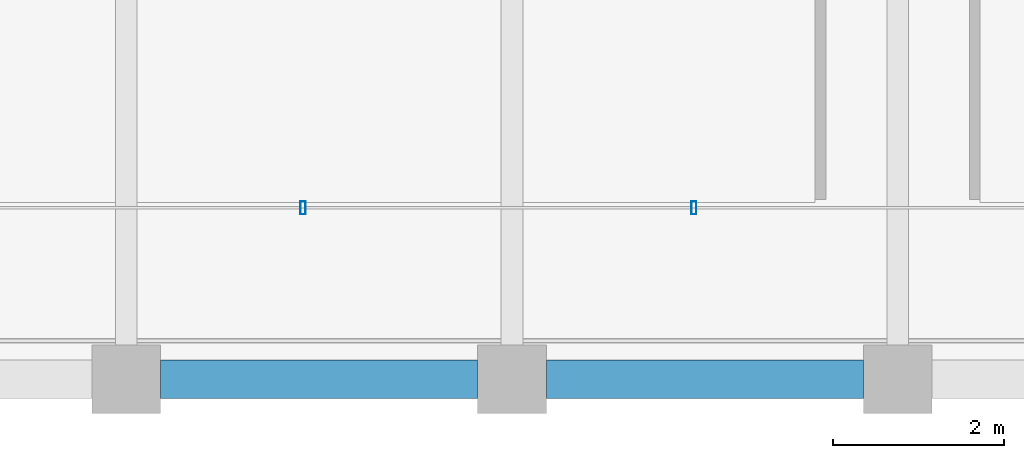
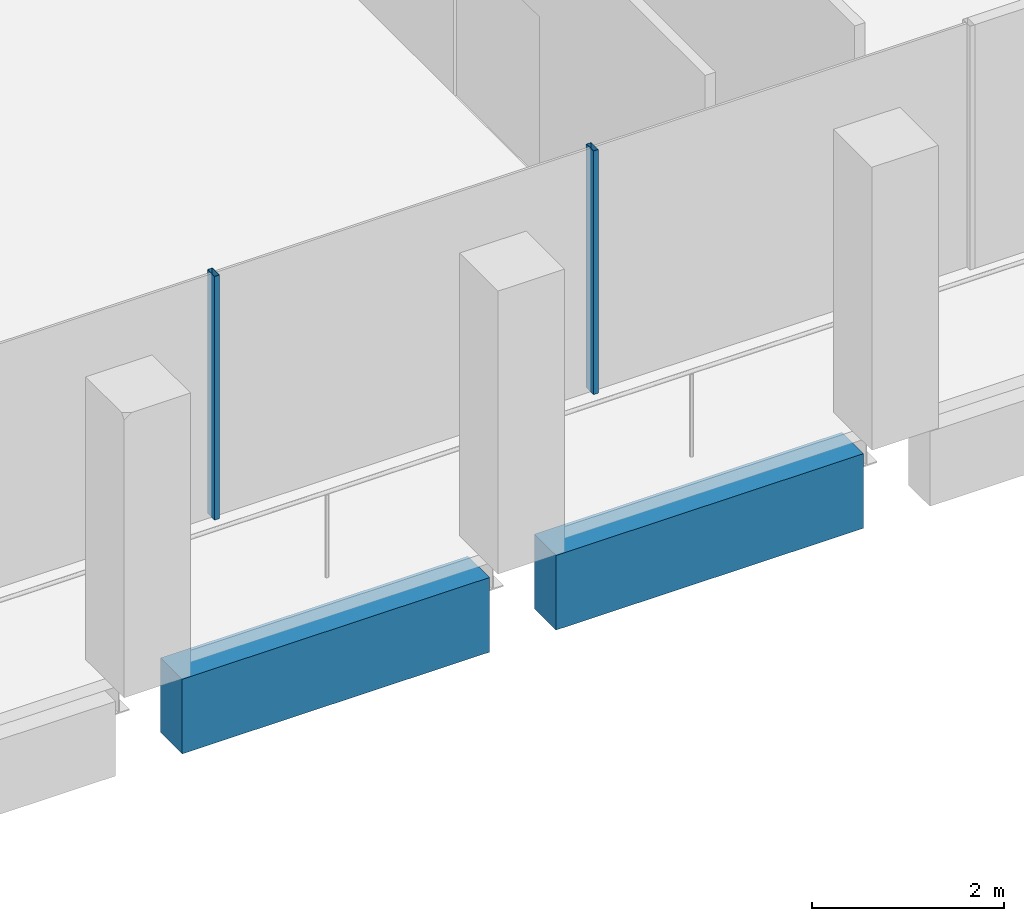
# One storey, part 3 of 30: 2 beams, 2 members, 1 element without a shape of its own.
"""IFC4 building model written with IfcOpenShell, lengths in metres."""

from ifc_helpers import new_model, si_unit, direction, frame, origin, origin_2d, place, context, subcontext, project, spatial, rectangle, hollow_rectangle, extrude, material, material_profile, profile_set, type_object, element, aggregate, save


model = new_model("IFC4")

# Units and contexts
model_context = context("Model", 3, precision=1e-05, world=origin(), true_north=direction((0.0, 1.0)))
body_context = subcontext(model_context, "Body", "Model", "MODEL_VIEW")
ifc_project = project(units=[si_unit("LENGTHUNIT", "METRE"), si_unit("AREAUNIT", "SQUARE_METRE"), si_unit("VOLUMEUNIT", "CUBIC_METRE"), si_unit("PLANEANGLEUNIT", "RADIAN"), si_unit("MASSUNIT", "GRAM", prefix="KILO")], contexts=[model_context])

# Site, building, storey
site_placement = place(None, origin())
site = spatial("IfcSite", under=ifc_project, at=site_placement, CompositionType="ELEMENT")
building_placement = place(site_placement, origin())
building = spatial("IfcBuilding", under=site, at=building_placement, Name="Altepetl Exchange Towers", CompositionType="ELEMENT")
storey_placement = place(building_placement, frame((0.0, 0.0, 213.60009765625)))
storey = spatial("IfcBuildingStorey", under=building, at=storey_placement, Name="L54", CompositionType="ELEMENT", Elevation=213.60009765625)

# Curtain wall, members
ifc_material_1 = material(Name="Aluminium 6063-T6 glazing", Category="aluminium")
curtain_wall_type = type_object("IfcCurtainWallType", Name="Loggia glazing system", PredefinedType="NOTDEFINED", material=ifc_material_1)
curtain_wall_placement = place(storey_placement, origin())
curtain_wall = element("IfcCurtainWall", 1, at=curtain_wall_placement, inside=storey, type_object=curtain_wall_type, Name="CW1 run", PredefinedType="NOTDEFINED")
ifc_material_2 = material(Name="Aluminium 6063-T6", Category="aluminium")
ifc_material_profile_1 = material_profile(ifc_material_2, hollow_rectangle(XDim=0.06005859375, YDim=0.14990234375, WallThickness=0.0029296875, at=origin_2d()), Name="Mullion 60x150 aluminium")
ifc_profile_set_1 = profile_set([ifc_material_profile_1], Name="Aluminium 6063-T6")
member_type = type_object("IfcMemberType", Name="Mullion 60x150 aluminium", PredefinedType="MULLION", material=ifc_profile_set_1)
member_1_placement = place(storey_placement, frame((38.060791015625, 29.0, 0.0)))
member_1 = element("IfcMember", 2, at=member_1_placement, type_object=member_type, Name="MU1 mullion", PredefinedType="MULLION", context=body_context, shape_type="SweptSolid", body=[
    extrude(hollow_rectangle(XDim=0.06005859375, YDim=0.14990234375, WallThickness=0.0029296875, at=origin_2d()), origin(), (0.0, 0.0, 1.0), 3.099853515625),
])
member_2_placement = place(storey_placement, frame((42.621337890625, 29.0, 0.0)))
member_2 = element("IfcMember", 3, at=member_2_placement, type_object=member_type, Name="MU1 mullion", PredefinedType="MULLION", context=body_context, shape_type="SweptSolid", body=[
    extrude(hollow_rectangle(XDim=0.06005859375, YDim=0.14990234375, WallThickness=0.0029296875, at=origin_2d()), origin(), (0.0, 0.0, 1.0), 3.099853515625),
])
aggregate(curtain_wall, [member_1, member_2])

# Beams
ifc_material_3 = material(Name="Concrete C50/60 precast with cantera blanca facing", Category="concrete")
ifc_material_profile_2 = material_profile(ifc_material_3, rectangle(XDim=0.449951171875, YDim=0.949951171875, at=origin_2d()), Name="450 x 950")
ifc_profile_set_2 = profile_set([ifc_material_profile_2], Name="Concrete C50/60 precast with cantera blanca facing")
beam_type = type_object("IfcBeamType", Name="Spandrel beam 450x950 cantera blanca", PredefinedType="SPANDREL", material=ifc_profile_set_2)
for number, where, z_axis, x_axis, name in (
    (4, (36.39990234375, 27.0, -0.625), (1.0, 0.0, 0.0), (0.0, 1.0, 0.0), "sp:A:L54:001"),
    (5, (40.89990234375, 27.0, -0.625), (1.0, 0.0, 0.0), (0.0, 1.0, 0.0), "sp:A:L54:002"),
):
    element("IfcBeam", number, at=place(storey_placement, frame(where, z_axis=z_axis, x_axis=x_axis)), inside=storey, type_object=beam_type, Name=name, PredefinedType="SPANDREL", context=body_context, shape_type="SweptSolid", body=[
        extrude(rectangle(XDim=0.449951171875, YDim=0.949951171875, at=origin_2d()), origin(), (0.0, 0.0, 1.0), 3.7001953125),
    ])

save(model, "model.ifc")
